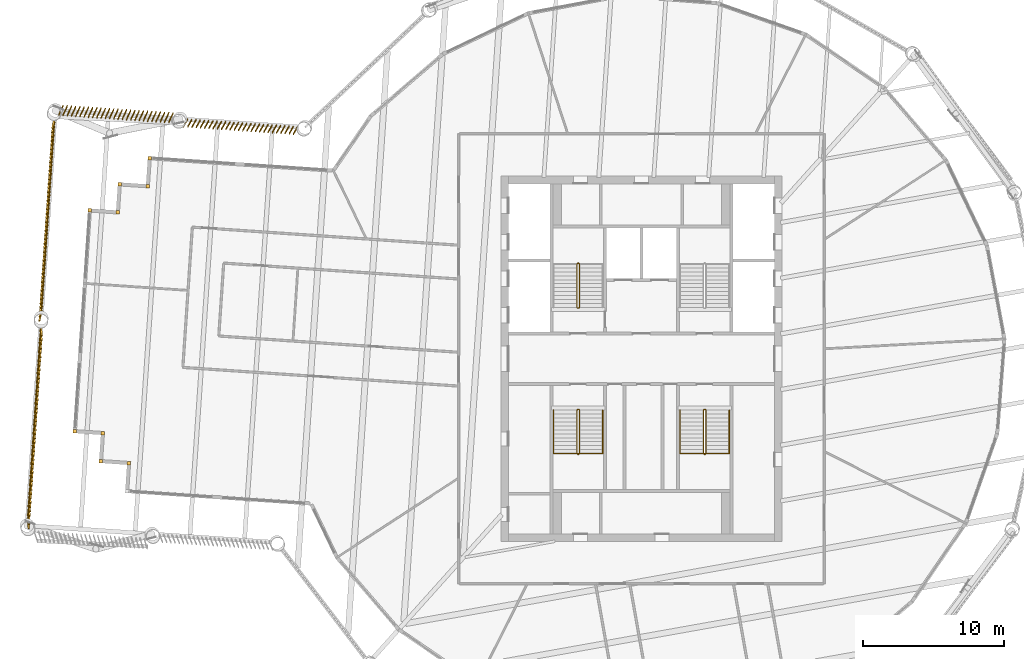
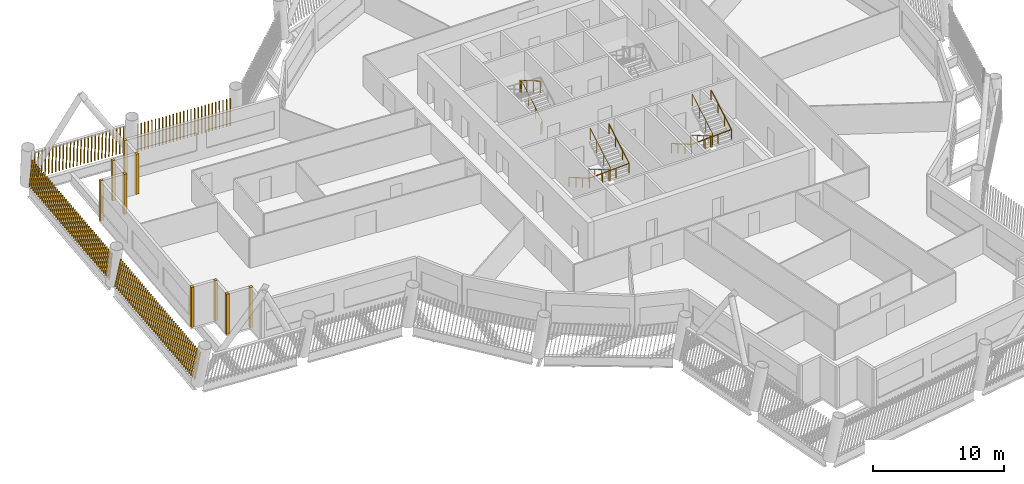
# One storey, part 19 of 22: 13 shading devices, 5 railings.
"""IFC4 building model written with IfcOpenShell, lengths in metres."""

from ifc_helpers import new_model, si_unit, direction, frame, frame_2d, origin, origin_2d, place, context, subcontext, project, spatial, rectangle, circle, composite_profile, extrude, material, type_object, element, save


model = new_model("IFC4")

# Units and contexts
model_context = context("Model", 3, precision=1e-05, world=origin(), true_north=direction((0.0, 1.0)))
body_context = subcontext(model_context, "Body", "Model", "MODEL_VIEW")
ifc_project = project(units=[si_unit("LENGTHUNIT", "METRE"), si_unit("AREAUNIT", "SQUARE_METRE"), si_unit("VOLUMEUNIT", "CUBIC_METRE"), si_unit("PLANEANGLEUNIT", "RADIAN"), si_unit("MASSUNIT", "GRAM", prefix="KILO")], contexts=[model_context])

# Site, building, storey
site_placement = place(None, origin())
site = spatial("IfcSite", under=ifc_project, at=site_placement, CompositionType="ELEMENT")
building_placement = place(site_placement, origin())
building = spatial("IfcBuilding", under=site, at=building_placement, Name="Tarsis Ring Headquarters", CompositionType="ELEMENT")
storey_placement = place(building_placement, frame((0.0, 0.0, 270.800048828125)))
storey = spatial("IfcBuildingStorey", under=building, at=storey_placement, Name="L63", CompositionType="ELEMENT", Elevation=270.800048828125)

# Railings
ifc_material_1 = material(Name="Steel S355", Category="steel")
railing_type_1 = type_object("IfcRailingType", Name="Core stair guard 1100", PredefinedType="GUARDRAIL", material=ifc_material_1)
railing_1_placement = place(storey_placement, frame((-4.5400390625, 3.610107421875, 0.0)))
element("IfcRailing", 1, at=railing_1_placement, inside=storey, type_object=railing_type_1, Name="L63 ST1 stair guard 1", PredefinedType="GUARDRAIL", context=body_context, shape_type="SweptSolid", body=[
    extrude(circle(Radius=0.02392578125, at=origin_2d()), frame((0.0, 0.0, 1.076171875), z_axis=(1.0, 0.0, 0.0), x_axis=(0.0, 1.0, 0.0)), (0.0, 0.0, 1.0), 0.080078125),
    extrude(circle(Radius=0.02392578125, at=origin_2d()), frame((0.080078125, 0.0, 1.076171875), z_axis=(0.282693820306, 0.281314826061, 0.917031173188), x_axis=(-0.705375805398, 0.708833529934, 0.0)), (0.0, 0.0, 1.0), 0.177001953125),
    extrude(circle(Radius=0.02392578125, at=origin_2d()), frame((0.130126953125, 0.0498046875, 1.23828125), z_axis=(0.0, 0.864890721111, 0.501960198159), x_axis=(-1.0, 0.0, 0.0)), (0.0, 0.0, 1.0), 3.561279296875),
    extrude(circle(Radius=0.02392578125, at=origin_2d()), frame((0.130126953125, 3.1298828125, 3.02587890625), z_axis=(-0.707106781187, 0.707106781187, 0.0), x_axis=(-0.707106781187, -0.707106781187, 0.0)), (0.0, 0.0, 1.0), 0.07080078125),
    extrude(circle(Radius=0.02392578125, at=origin_2d()), frame((0.080078125, 3.179931640625, 3.02587890625), z_axis=(-1.0, 0.0, 0.0), x_axis=(0.0, -1.0, 0.0)), (0.0, 0.0, 1.0), 0.080078125),
    extrude(circle(Radius=0.02392578125, at=origin_2d()), frame((0.0, 3.179931640625, 3.02587890625), z_axis=(-0.282227285176, -0.282227285176, 0.916894497205), x_axis=(0.707106781187, -0.707106781187, 0.0)), (0.0, 0.0, 1.0), 0.17724609375),
    extrude(circle(Radius=0.02392578125, at=origin_2d()), frame((-0.050048828125, 3.1298828125, 3.1884765625), z_axis=(0.0, -0.864920483161, 0.501908913857), x_axis=(1.0, 0.0, 0.0)), (0.0, 0.0, 1.0), 3.56103515625),
    extrude(circle(Radius=0.02099609375, at=origin_2d()), origin(), (0.0, 0.0, 1.0), 1.052001953125),
    extrude(circle(Radius=0.02099609375, at=origin_2d()), frame((0.080078125, 0.0, 0.0)), (0.0, 0.0, 1.0), 1.052001953125),
    extrude(circle(Radius=0.02099609375, at=origin_2d()), frame((0.130126953125, 0.0498046875, 0.162353515625)), (0.0, 0.0, 1.0), 1.052001953125),
    extrude(circle(Radius=0.02099609375, at=origin_2d()), frame((0.130126953125, 1.076416015625, 0.75830078125)), (0.0, 0.0, 1.0), 1.052001953125),
    extrude(circle(Radius=0.02099609375, at=origin_2d()), frame((0.130126953125, 2.103271484375, 1.35400390625)), (0.0, 0.0, 1.0), 1.052001953125),
    extrude(circle(Radius=0.02099609375, at=origin_2d()), frame((0.130126953125, 3.1298828125, 1.949951171875)), (0.0, 0.0, 1.0), 1.052001953125),
    extrude(circle(Radius=0.02099609375, at=origin_2d()), frame((0.080078125, 3.179931640625, 1.949951171875)), (0.0, 0.0, 1.0), 1.052001953125),
    extrude(circle(Radius=0.02099609375, at=origin_2d()), frame((0.0, 3.179931640625, 1.949951171875)), (0.0, 0.0, 1.0), 1.052001953125),
    extrude(circle(Radius=0.02099609375, at=origin_2d()), frame((-0.050048828125, 3.1298828125, 2.112548828125)), (0.0, 0.0, 1.0), 1.052001953125),
    extrude(circle(Radius=0.02099609375, at=origin_2d()), frame((-0.050048828125, 2.103271484375, 2.708251953125)), (0.0, 0.0, 1.0), 1.052001953125),
    extrude(circle(Radius=0.02099609375, at=origin_2d()), frame((-0.050048828125, 1.076416015625, 3.30419921875)), (0.0, 0.0, 1.0), 1.052001953125),
    extrude(circle(Radius=0.02099609375, at=origin_2d()), frame((-0.050048828125, 0.0498046875, 3.89990234375)), (0.0, 0.0, 1.0), 1.052001953125),
])
railing_2_placement = place(storey_placement, frame((-4.4599609375, -3.610107421875, 0.0)))
element("IfcRailing", 2, at=railing_2_placement, inside=storey, type_object=railing_type_1, Name="L63 ST3 stair guard 1", PredefinedType="GUARDRAIL", context=body_context, shape_type="SweptSolid", body=[
    extrude(circle(Radius=0.02392578125, at=origin_2d()), frame((0.0, 0.0, 1.076171875), z_axis=(-1.0, 0.0, 0.0), x_axis=(0.0, -1.0, 0.0)), (0.0, 0.0, 1.0), 0.080078125),
    extrude(circle(Radius=0.02392578125, at=origin_2d()), frame((-0.080078125, 0.0, 1.076171875), z_axis=(-0.282693820306, -0.281314826061, 0.917031173188), x_axis=(0.705375805398, -0.708833529934, 0.0)), (0.0, 0.0, 1.0), 0.177001953125),
    extrude(circle(Radius=0.02392578125, at=origin_2d()), frame((-0.130126953125, -0.0498046875, 1.23828125), z_axis=(0.0, -0.864890721111, 0.501960198159), x_axis=(1.0, 0.0, 0.0)), (0.0, 0.0, 1.0), 3.561279296875),
    extrude(circle(Radius=0.02392578125, at=origin_2d()), frame((-0.130126953125, -3.1298828125, 3.02587890625), z_axis=(0.707106781187, -0.707106781187, 0.0), x_axis=(0.707106781187, 0.707106781187, 0.0)), (0.0, 0.0, 1.0), 0.07080078125),
    extrude(circle(Radius=0.02392578125, at=origin_2d()), frame((-0.080078125, -3.179931640625, 3.02587890625), z_axis=(1.0, 0.0, 0.0), x_axis=(0.0, 1.0, 0.0)), (0.0, 0.0, 1.0), 0.080078125),
    extrude(circle(Radius=0.02392578125, at=origin_2d()), frame((0.0, -3.179931640625, 3.02587890625), z_axis=(0.282227285176, 0.282227285176, 0.916894497205), x_axis=(-0.707106781187, 0.707106781187, 0.0)), (0.0, 0.0, 1.0), 0.17724609375),
    extrude(circle(Radius=0.02392578125, at=origin_2d()), frame((0.050048828125, -3.1298828125, 3.1884765625), z_axis=(0.0, 0.864920483161, 0.501908913857), x_axis=(-1.0, 0.0, 0.0)), (0.0, 0.0, 1.0), 3.56103515625),
    extrude(circle(Radius=0.02099609375, at=origin_2d()), origin(), (0.0, 0.0, 1.0), 1.052001953125),
    extrude(circle(Radius=0.02099609375, at=origin_2d()), frame((-0.080078125, 0.0, 0.0)), (0.0, 0.0, 1.0), 1.052001953125),
    extrude(circle(Radius=0.02099609375, at=origin_2d()), frame((-0.130126953125, -0.0498046875, 0.162353515625)), (0.0, 0.0, 1.0), 1.052001953125),
    extrude(circle(Radius=0.02099609375, at=origin_2d()), frame((-0.130126953125, -1.076416015625, 0.75830078125)), (0.0, 0.0, 1.0), 1.052001953125),
    extrude(circle(Radius=0.02099609375, at=origin_2d()), frame((-0.130126953125, -2.103271484375, 1.35400390625)), (0.0, 0.0, 1.0), 1.052001953125),
    extrude(circle(Radius=0.02099609375, at=origin_2d()), frame((-0.130126953125, -3.1298828125, 1.949951171875)), (0.0, 0.0, 1.0), 1.052001953125),
    extrude(circle(Radius=0.02099609375, at=origin_2d()), frame((-0.080078125, -3.179931640625, 1.949951171875)), (0.0, 0.0, 1.0), 1.052001953125),
    extrude(circle(Radius=0.02099609375, at=origin_2d()), frame((0.0, -3.179931640625, 1.949951171875)), (0.0, 0.0, 1.0), 1.052001953125),
    extrude(circle(Radius=0.02099609375, at=origin_2d()), frame((0.050048828125, -3.1298828125, 2.112548828125)), (0.0, 0.0, 1.0), 1.052001953125),
    extrude(circle(Radius=0.02099609375, at=origin_2d()), frame((0.050048828125, -2.103271484375, 2.708251953125)), (0.0, 0.0, 1.0), 1.052001953125),
    extrude(circle(Radius=0.02099609375, at=origin_2d()), frame((0.050048828125, -1.076416015625, 3.30419921875)), (0.0, 0.0, 1.0), 1.052001953125),
    extrude(circle(Radius=0.02099609375, at=origin_2d()), frame((0.050048828125, -0.0498046875, 3.89990234375)), (0.0, 0.0, 1.0), 1.052001953125),
])
railing_3_placement = place(storey_placement, frame((4.5400390625, -3.610107421875, 0.0)))
element("IfcRailing", 3, at=railing_3_placement, inside=storey, type_object=railing_type_1, Name="L63 ST4 stair guard 1", PredefinedType="GUARDRAIL", context=body_context, shape_type="SweptSolid", body=[
    extrude(circle(Radius=0.02392578125, at=origin_2d()), frame((0.0, 0.0, 1.076171875), z_axis=(-1.0, 0.0, 0.0), x_axis=(0.0, -1.0, 0.0)), (0.0, 0.0, 1.0), 0.080078125),
    extrude(circle(Radius=0.02392578125, at=origin_2d()), frame((-0.080078125, 0.0, 1.076171875), z_axis=(-0.282693820306, -0.281314826061, 0.917031173188), x_axis=(0.705375805398, -0.708833529934, 0.0)), (0.0, 0.0, 1.0), 0.177001953125),
    extrude(circle(Radius=0.02392578125, at=origin_2d()), frame((-0.130126953125, -0.0498046875, 1.23828125), z_axis=(0.0, -0.864890721111, 0.501960198159), x_axis=(1.0, 0.0, 0.0)), (0.0, 0.0, 1.0), 3.561279296875),
    extrude(circle(Radius=0.02392578125, at=origin_2d()), frame((-0.130126953125, -3.1298828125, 3.02587890625), z_axis=(0.707106781187, -0.707106781187, 0.0), x_axis=(0.707106781187, 0.707106781187, 0.0)), (0.0, 0.0, 1.0), 0.07080078125),
    extrude(circle(Radius=0.02392578125, at=origin_2d()), frame((-0.080078125, -3.179931640625, 3.02587890625), z_axis=(1.0, 0.0, 0.0), x_axis=(0.0, 1.0, 0.0)), (0.0, 0.0, 1.0), 0.080078125),
    extrude(circle(Radius=0.02392578125, at=origin_2d()), frame((0.0, -3.179931640625, 3.02587890625), z_axis=(0.282227285176, 0.282227285176, 0.916894497205), x_axis=(-0.707106781187, 0.707106781187, 0.0)), (0.0, 0.0, 1.0), 0.17724609375),
    extrude(circle(Radius=0.02392578125, at=origin_2d()), frame((0.050048828125, -3.1298828125, 3.1884765625), z_axis=(0.0, 0.864920483161, 0.501908913857), x_axis=(-1.0, 0.0, 0.0)), (0.0, 0.0, 1.0), 3.56103515625),
    extrude(circle(Radius=0.02099609375, at=origin_2d()), origin(), (0.0, 0.0, 1.0), 1.052001953125),
    extrude(circle(Radius=0.02099609375, at=origin_2d()), frame((-0.080078125, 0.0, 0.0)), (0.0, 0.0, 1.0), 1.052001953125),
    extrude(circle(Radius=0.02099609375, at=origin_2d()), frame((-0.130126953125, -0.0498046875, 0.162353515625)), (0.0, 0.0, 1.0), 1.052001953125),
    extrude(circle(Radius=0.02099609375, at=origin_2d()), frame((-0.130126953125, -1.076416015625, 0.75830078125)), (0.0, 0.0, 1.0), 1.052001953125),
    extrude(circle(Radius=0.02099609375, at=origin_2d()), frame((-0.130126953125, -2.103271484375, 1.35400390625)), (0.0, 0.0, 1.0), 1.052001953125),
    extrude(circle(Radius=0.02099609375, at=origin_2d()), frame((-0.130126953125, -3.1298828125, 1.949951171875)), (0.0, 0.0, 1.0), 1.052001953125),
    extrude(circle(Radius=0.02099609375, at=origin_2d()), frame((-0.080078125, -3.179931640625, 1.949951171875)), (0.0, 0.0, 1.0), 1.052001953125),
    extrude(circle(Radius=0.02099609375, at=origin_2d()), frame((0.0, -3.179931640625, 1.949951171875)), (0.0, 0.0, 1.0), 1.052001953125),
    extrude(circle(Radius=0.02099609375, at=origin_2d()), frame((0.050048828125, -3.1298828125, 2.112548828125)), (0.0, 0.0, 1.0), 1.052001953125),
    extrude(circle(Radius=0.02099609375, at=origin_2d()), frame((0.050048828125, -2.103271484375, 2.708251953125)), (0.0, 0.0, 1.0), 1.052001953125),
    extrude(circle(Radius=0.02099609375, at=origin_2d()), frame((0.050048828125, -1.076416015625, 3.30419921875)), (0.0, 0.0, 1.0), 1.052001953125),
    extrude(circle(Radius=0.02099609375, at=origin_2d()), frame((0.050048828125, -0.0498046875, 3.89990234375)), (0.0, 0.0, 1.0), 1.052001953125),
])
railing_type_2 = type_object("IfcRailingType", Name="Core stair handrail 900", PredefinedType="HANDRAIL", material=ifc_material_1)
railing_4_placement = place(storey_placement, frame((-6.25, -3.659912109375, 0.162353515625)))
element("IfcRailing", 4, at=railing_4_placement, inside=storey, type_object=railing_type_2, Name="L63 ST3 stair handrail 1", PredefinedType="HANDRAIL", context=body_context, shape_type="SweptSolid", body=[
    extrude(circle(Radius=0.02392578125, at=origin_2d()), frame((0.0, 0.0, 0.8759765625), z_axis=(0.0, -0.864890721111, 0.501960198159), x_axis=(1.0, 0.0, 0.0)), (0.0, 0.0, 1.0), 3.561279296875),
    extrude(circle(Radius=0.02392578125, at=origin_2d()), frame((0.0, -3.080078125, 2.66357421875), z_axis=(0.998922641604, 0.0, 0.046406422943), x_axis=(0.0, 1.0, 0.0)), (0.0, 0.0, 1.0), 3.503662109375),
    extrude(circle(Radius=0.02392578125, at=origin_2d()), frame((3.5, -3.080078125, 2.826171875), z_axis=(0.0, 0.864920483161, 0.501908913857), x_axis=(-1.0, 0.0, 0.0)), (0.0, 0.0, 1.0), 3.56103515625),
    extrude(circle(Radius=0.02099609375, at=origin_2d()), origin(), (0.0, 0.0, 1.0), 0.851806640625),
    extrude(circle(Radius=0.02099609375, at=origin_2d()), frame((0.0, -1.026611328125, 0.595947265625)), (0.0, 0.0, 1.0), 0.851806640625),
    extrude(circle(Radius=0.02099609375, at=origin_2d()), frame((0.0, -2.053466796875, 1.191650390625)), (0.0, 0.0, 1.0), 0.851806640625),
    extrude(circle(Radius=0.02099609375, at=origin_2d()), frame((0.0, -3.080078125, 1.78759765625)), (0.0, 0.0, 1.0), 0.851806640625),
    extrude(circle(Radius=0.02099609375, at=origin_2d()), frame((1.166748046875, -3.080078125, 1.841796875)), (0.0, 0.0, 1.0), 0.851806640625),
    extrude(circle(Radius=0.02099609375, at=origin_2d()), frame((2.333251953125, -3.080078125, 1.89599609375)), (0.0, 0.0, 1.0), 0.851806640625),
    extrude(circle(Radius=0.02099609375, at=origin_2d()), frame((3.5, -3.080078125, 1.9501953125)), (0.0, 0.0, 1.0), 0.851806640625),
    extrude(circle(Radius=0.02099609375, at=origin_2d()), frame((3.5, -2.053466796875, 2.5458984375)), (0.0, 0.0, 1.0), 0.851806640625),
    extrude(circle(Radius=0.02099609375, at=origin_2d()), frame((3.5, -1.026611328125, 3.141845703125)), (0.0, 0.0, 1.0), 0.851806640625),
    extrude(circle(Radius=0.02099609375, at=origin_2d()), frame((3.5, 0.0, 3.737548828125)), (0.0, 0.0, 1.0), 0.851806640625),
])
railing_5_placement = place(storey_placement, frame((2.75, -3.659912109375, 0.162353515625)))
element("IfcRailing", 5, at=railing_5_placement, inside=storey, type_object=railing_type_2, Name="L63 ST4 stair handrail 1", PredefinedType="HANDRAIL", context=body_context, shape_type="SweptSolid", body=[
    extrude(circle(Radius=0.02392578125, at=origin_2d()), frame((0.0, 0.0, 0.8759765625), z_axis=(0.0, -0.864890721111, 0.501960198159), x_axis=(1.0, 0.0, 0.0)), (0.0, 0.0, 1.0), 3.561279296875),
    extrude(circle(Radius=0.02392578125, at=origin_2d()), frame((0.0, -3.080078125, 2.66357421875), z_axis=(0.998922641604, 0.0, 0.046406422943), x_axis=(0.0, 1.0, 0.0)), (0.0, 0.0, 1.0), 3.503662109375),
    extrude(circle(Radius=0.02392578125, at=origin_2d()), frame((3.5, -3.080078125, 2.826171875), z_axis=(0.0, 0.864920483161, 0.501908913857), x_axis=(-1.0, 0.0, 0.0)), (0.0, 0.0, 1.0), 3.56103515625),
    extrude(circle(Radius=0.02099609375, at=origin_2d()), origin(), (0.0, 0.0, 1.0), 0.851806640625),
    extrude(circle(Radius=0.02099609375, at=origin_2d()), frame((0.0, -1.026611328125, 0.595947265625)), (0.0, 0.0, 1.0), 0.851806640625),
    extrude(circle(Radius=0.02099609375, at=origin_2d()), frame((0.0, -2.053466796875, 1.191650390625)), (0.0, 0.0, 1.0), 0.851806640625),
    extrude(circle(Radius=0.02099609375, at=origin_2d()), frame((0.0, -3.080078125, 1.78759765625)), (0.0, 0.0, 1.0), 0.851806640625),
    extrude(circle(Radius=0.02099609375, at=origin_2d()), frame((1.166748046875, -3.080078125, 1.841796875)), (0.0, 0.0, 1.0), 0.851806640625),
    extrude(circle(Radius=0.02099609375, at=origin_2d()), frame((2.333251953125, -3.080078125, 1.89599609375)), (0.0, 0.0, 1.0), 0.851806640625),
    extrude(circle(Radius=0.02099609375, at=origin_2d()), frame((3.5, -3.080078125, 1.9501953125)), (0.0, 0.0, 1.0), 0.851806640625),
    extrude(circle(Radius=0.02099609375, at=origin_2d()), frame((3.5, -2.053466796875, 2.5458984375)), (0.0, 0.0, 1.0), 0.851806640625),
    extrude(circle(Radius=0.02099609375, at=origin_2d()), frame((3.5, -1.026611328125, 3.141845703125)), (0.0, 0.0, 1.0), 0.851806640625),
    extrude(circle(Radius=0.02099609375, at=origin_2d()), frame((3.5, 0.0, 3.737548828125)), (0.0, 0.0, 1.0), 0.851806640625),
])

# Shading devices
ifc_material_2 = material(Name="Terracotta baguette", Category="masonry")
shading_device_type_1 = type_object("IfcShadingDeviceType", Name="Terracotta baguette screen", PredefinedType="USERDEFINED", material=ifc_material_2)
shading_device_1_placement = place(storey_placement, frame((-24.435546875, 16.4912109375, 0.0), z_axis=(0.0, 0.0, 1.0), x_axis=(-0.997713791399, 0.067690311419, 0.0)))
element("IfcShadingDevice", 6, at=shading_device_1_placement, inside=storey, type_object=shading_device_type_1, Name="Baguette screen L63-15", ObjectType="Terracotta baguette screen", PredefinedType="USERDEFINED", context=body_context, shape_type="SweptSolid", body=[
    extrude(composite_profile([rectangle(XDim=0.06005859375, YDim=0.1201171875, at=frame_2d((0.030029296875, 0.0))), rectangle(XDim=0.06005859375, YDim=0.1201171875, at=frame_2d((0.33154296875, 0.0))), rectangle(XDim=0.06005859375, YDim=0.1201171875, at=frame_2d((0.63330078125, 0.0))), rectangle(XDim=0.06005859375, YDim=0.1201171875, at=frame_2d((0.934814453125, 0.0))), rectangle(XDim=0.06005859375, YDim=0.1201171875, at=frame_2d((1.236572265625, 0.0))), rectangle(XDim=0.06005859375, YDim=0.1201171875, at=frame_2d((1.5380859375, 0.0))), rectangle(XDim=0.06005859375, YDim=0.1201171875, at=frame_2d((1.83984375, 0.0))), rectangle(XDim=0.06005859375, YDim=0.1201171875, at=frame_2d((2.141357421875, 0.0))), rectangle(XDim=0.06005859375, YDim=0.1201171875, at=frame_2d((2.443115234375, 0.0))), rectangle(XDim=0.06005859375, YDim=0.1201171875, at=frame_2d((2.74462890625, 0.0))), rectangle(XDim=0.06005859375, YDim=0.1201171875, at=frame_2d((3.04638671875, 0.0))), rectangle(XDim=0.06005859375, YDim=0.1201171875, at=frame_2d((3.347900390625, 0.0))), rectangle(XDim=0.06005859375, YDim=0.1201171875, at=frame_2d((3.649658203125, 0.0))), rectangle(XDim=0.06005859375, YDim=0.1201171875, at=frame_2d((3.951171875, 0.0))), rectangle(XDim=0.06005859375, YDim=0.1201171875, at=frame_2d((4.252685546875, 0.0))), rectangle(XDim=0.06005859375, YDim=0.1201171875, at=frame_2d((4.554443359375, 0.0))), rectangle(XDim=0.06005859375, YDim=0.1201171875, at=frame_2d((4.85595703125, 0.0))), rectangle(XDim=0.06005859375, YDim=0.1201171875, at=frame_2d((5.15771484375, 0.0))), rectangle(XDim=0.06005859375, YDim=0.1201171875, at=frame_2d((5.459228515625, 0.0))), rectangle(XDim=0.06005859375, YDim=0.1201171875, at=frame_2d((5.760986328125, 0.0))), rectangle(XDim=0.06005859375, YDim=0.1201171875, at=frame_2d((6.0625, 0.0))), rectangle(XDim=0.06005859375, YDim=0.1201171875, at=frame_2d((6.3642578125, 0.0))), rectangle(XDim=0.06005859375, YDim=0.1201171875, at=frame_2d((6.665771484375, 0.0))), rectangle(XDim=0.06005859375, YDim=0.1201171875, at=frame_2d((6.967529296875, 0.0))), rectangle(XDim=0.06005859375, YDim=0.1201171875, at=frame_2d((7.26904296875, 0.0))), rectangle(XDim=0.06005859375, YDim=0.1201171875, at=frame_2d((7.57080078125, 0.0))), rectangle(XDim=0.06005859375, YDim=0.1201171875, at=frame_2d((7.872314453125, 0.0)))]), origin(), (0.08395669071, 0.170750630732, 0.981730867493), 3.02294921875),
])
shading_device_2_placement = place(storey_placement, frame((-33.2919921875, 17.4677734375, 0.0), z_axis=(0.0, 0.0, 1.0), x_axis=(-0.997713791399, 0.067659416708, 0.0)))
element("IfcShadingDevice", 7, at=shading_device_2_placement, inside=storey, type_object=shading_device_type_1, Name="Baguette screen L63-16", ObjectType="Terracotta baguette screen", PredefinedType="USERDEFINED", context=body_context, shape_type="SweptSolid", body=[
    extrude(composite_profile([rectangle(XDim=0.06005859375, YDim=0.1201171875, at=frame_2d((0.030029296875, 0.0))), rectangle(XDim=0.06005859375, YDim=0.1201171875, at=frame_2d((0.33154296875, 0.0))), rectangle(XDim=0.06005859375, YDim=0.1201171875, at=frame_2d((0.63330078125, 0.0))), rectangle(XDim=0.06005859375, YDim=0.1201171875, at=frame_2d((0.934814453125, 0.0))), rectangle(XDim=0.06005859375, YDim=0.1201171875, at=frame_2d((1.236572265625, 0.0))), rectangle(XDim=0.06005859375, YDim=0.1201171875, at=frame_2d((1.5380859375, 0.0))), rectangle(XDim=0.06005859375, YDim=0.1201171875, at=frame_2d((1.83984375, 0.0))), rectangle(XDim=0.06005859375, YDim=0.1201171875, at=frame_2d((2.141357421875, 0.0))), rectangle(XDim=0.06005859375, YDim=0.1201171875, at=frame_2d((2.443115234375, 0.0))), rectangle(XDim=0.06005859375, YDim=0.1201171875, at=frame_2d((2.74462890625, 0.0))), rectangle(XDim=0.06005859375, YDim=0.1201171875, at=frame_2d((3.04638671875, 0.0))), rectangle(XDim=0.06005859375, YDim=0.1201171875, at=frame_2d((3.347900390625, 0.0))), rectangle(XDim=0.06005859375, YDim=0.1201171875, at=frame_2d((3.649658203125, 0.0))), rectangle(XDim=0.06005859375, YDim=0.1201171875, at=frame_2d((3.951171875, 0.0))), rectangle(XDim=0.06005859375, YDim=0.1201171875, at=frame_2d((4.252685546875, 0.0))), rectangle(XDim=0.06005859375, YDim=0.1201171875, at=frame_2d((4.554443359375, 0.0))), rectangle(XDim=0.06005859375, YDim=0.1201171875, at=frame_2d((4.85595703125, 0.0))), rectangle(XDim=0.06005859375, YDim=0.1201171875, at=frame_2d((5.15771484375, 0.0))), rectangle(XDim=0.06005859375, YDim=0.1201171875, at=frame_2d((5.459228515625, 0.0))), rectangle(XDim=0.06005859375, YDim=0.1201171875, at=frame_2d((5.760986328125, 0.0))), rectangle(XDim=0.06005859375, YDim=0.1201171875, at=frame_2d((6.0625, 0.0))), rectangle(XDim=0.06005859375, YDim=0.1201171875, at=frame_2d((6.3642578125, 0.0))), rectangle(XDim=0.06005859375, YDim=0.1201171875, at=frame_2d((6.665771484375, 0.0))), rectangle(XDim=0.06005859375, YDim=0.1201171875, at=frame_2d((6.967529296875, 0.0))), rectangle(XDim=0.06005859375, YDim=0.1201171875, at=frame_2d((7.26904296875, 0.0))), rectangle(XDim=0.06005859375, YDim=0.1201171875, at=frame_2d((7.57080078125, 0.0))), rectangle(XDim=0.06005859375, YDim=0.1201171875, at=frame_2d((7.872314453125, 0.0)))]), origin(), (0.0848140838, 0.219919349821, 0.971824084268), 3.0537109375),
])
shading_device_3_placement = place(storey_placement, frame((-41.734375, 17.163330078125, 0.0), z_axis=(0.0, 0.0, 1.0), x_axis=(-0.067652678508, -0.997717783596, 0.0)))
element("IfcShadingDevice", 8, at=shading_device_3_placement, inside=storey, type_object=shading_device_type_1, Name="Baguette screen L63-17", ObjectType="Terracotta baguette screen", PredefinedType="USERDEFINED", context=body_context, shape_type="SweptSolid", body=[
    extrude(composite_profile([rectangle(XDim=0.06005859375, YDim=0.1201171875, at=frame_2d((0.030029296875, 0.0))), rectangle(XDim=0.06005859375, YDim=0.1201171875, at=frame_2d((0.33544921875, 0.0))), rectangle(XDim=0.06005859375, YDim=0.1201171875, at=frame_2d((0.640625, 0.0))), rectangle(XDim=0.06005859375, YDim=0.1201171875, at=frame_2d((0.946044921875, 0.0))), rectangle(XDim=0.06005859375, YDim=0.1201171875, at=frame_2d((1.25146484375, 0.0))), rectangle(XDim=0.06005859375, YDim=0.1201171875, at=frame_2d((1.556640625, 0.0))), rectangle(XDim=0.06005859375, YDim=0.1201171875, at=frame_2d((1.862060546875, 0.0))), rectangle(XDim=0.06005859375, YDim=0.1201171875, at=frame_2d((2.16748046875, 0.0))), rectangle(XDim=0.06005859375, YDim=0.1201171875, at=frame_2d((2.47265625, 0.0))), rectangle(XDim=0.06005859375, YDim=0.1201171875, at=frame_2d((2.778076171875, 0.0))), rectangle(XDim=0.06005859375, YDim=0.1201171875, at=frame_2d((3.08349609375, 0.0))), rectangle(XDim=0.06005859375, YDim=0.1201171875, at=frame_2d((3.388671875, 0.0))), rectangle(XDim=0.06005859375, YDim=0.1201171875, at=frame_2d((3.694091796875, 0.0))), rectangle(XDim=0.06005859375, YDim=0.1201171875, at=frame_2d((3.99951171875, 0.0))), rectangle(XDim=0.06005859375, YDim=0.1201171875, at=frame_2d((4.3046875, 0.0))), rectangle(XDim=0.06005859375, YDim=0.1201171875, at=frame_2d((4.610107421875, 0.0))), rectangle(XDim=0.06005859375, YDim=0.1201171875, at=frame_2d((4.91552734375, 0.0))), rectangle(XDim=0.06005859375, YDim=0.1201171875, at=frame_2d((5.220703125, 0.0))), rectangle(XDim=0.06005859375, YDim=0.1201171875, at=frame_2d((5.526123046875, 0.0))), rectangle(XDim=0.06005859375, YDim=0.1201171875, at=frame_2d((5.83154296875, 0.0))), rectangle(XDim=0.06005859375, YDim=0.1201171875, at=frame_2d((6.13671875, 0.0))), rectangle(XDim=0.06005859375, YDim=0.1201171875, at=frame_2d((6.442138671875, 0.0))), rectangle(XDim=0.06005859375, YDim=0.1201171875, at=frame_2d((6.74755859375, 0.0))), rectangle(XDim=0.06005859375, YDim=0.1201171875, at=frame_2d((7.052734375, 0.0))), rectangle(XDim=0.06005859375, YDim=0.1201171875, at=frame_2d((7.358154296875, 0.0))), rectangle(XDim=0.06005859375, YDim=0.1201171875, at=frame_2d((7.66357421875, 0.0))), rectangle(XDim=0.06005859375, YDim=0.1201171875, at=frame_2d((7.96875, 0.0))), rectangle(XDim=0.06005859375, YDim=0.1201171875, at=frame_2d((8.274169921875, 0.0))), rectangle(XDim=0.06005859375, YDim=0.1201171875, at=frame_2d((8.57958984375, 0.0))), rectangle(XDim=0.06005859375, YDim=0.1201171875, at=frame_2d((8.884765625, 0.0))), rectangle(XDim=0.06005859375, YDim=0.1201171875, at=frame_2d((9.190185546875, 0.0))), rectangle(XDim=0.06005859375, YDim=0.1201171875, at=frame_2d((9.49560546875, 0.0))), rectangle(XDim=0.06005859375, YDim=0.1201171875, at=frame_2d((9.80078125, 0.0))), rectangle(XDim=0.06005859375, YDim=0.1201171875, at=frame_2d((10.106201171875, 0.0))), rectangle(XDim=0.06005859375, YDim=0.1201171875, at=frame_2d((10.41162109375, 0.0))), rectangle(XDim=0.06005859375, YDim=0.1201171875, at=frame_2d((10.716796875, 0.0))), rectangle(XDim=0.06005859375, YDim=0.1201171875, at=frame_2d((11.022216796875, 0.0))), rectangle(XDim=0.06005859375, YDim=0.1201171875, at=frame_2d((11.32763671875, 0.0))), rectangle(XDim=0.06005859375, YDim=0.1201171875, at=frame_2d((11.6328125, 0.0))), rectangle(XDim=0.06005859375, YDim=0.1201171875, at=frame_2d((11.938232421875, 0.0))), rectangle(XDim=0.06005859375, YDim=0.1201171875, at=frame_2d((12.24365234375, 0.0))), rectangle(XDim=0.06005859375, YDim=0.1201171875, at=frame_2d((12.548828125, 0.0))), rectangle(XDim=0.06005859375, YDim=0.1201171875, at=frame_2d((12.854248046875, 0.0))), rectangle(XDim=0.06005859375, YDim=0.1201171875, at=frame_2d((13.15966796875, 0.0))), rectangle(XDim=0.06005859375, YDim=0.1201171875, at=frame_2d((13.46484375, 0.0))), rectangle(XDim=0.06005859375, YDim=0.1201171875, at=frame_2d((13.770263671875, 0.0)))]), origin(), (0.244230678059, -0.040038776183, 0.968890227165), 3.06298828125),
])
shading_device_4_placement = place(storey_placement, frame((-42.73583984375, 2.397216796875, 0.0), z_axis=(0.0, 0.0, 1.0), x_axis=(-0.067652678508, -0.997717783596, 0.0)))
element("IfcShadingDevice", 9, at=shading_device_4_placement, inside=storey, type_object=shading_device_type_1, Name="Baguette screen L63-18", ObjectType="Terracotta baguette screen", PredefinedType="USERDEFINED", context=body_context, shape_type="SweptSolid", body=[
    extrude(composite_profile([rectangle(XDim=0.06005859375, YDim=0.1201171875, at=frame_2d((0.030029296875, 0.0))), rectangle(XDim=0.06005859375, YDim=0.1201171875, at=frame_2d((0.33544921875, 0.0))), rectangle(XDim=0.06005859375, YDim=0.1201171875, at=frame_2d((0.640625, 0.0))), rectangle(XDim=0.06005859375, YDim=0.1201171875, at=frame_2d((0.946044921875, 0.0))), rectangle(XDim=0.06005859375, YDim=0.1201171875, at=frame_2d((1.25146484375, 0.0))), rectangle(XDim=0.06005859375, YDim=0.1201171875, at=frame_2d((1.556640625, 0.0))), rectangle(XDim=0.06005859375, YDim=0.1201171875, at=frame_2d((1.862060546875, 0.0))), rectangle(XDim=0.06005859375, YDim=0.1201171875, at=frame_2d((2.16748046875, 0.0))), rectangle(XDim=0.06005859375, YDim=0.1201171875, at=frame_2d((2.47265625, 0.0))), rectangle(XDim=0.06005859375, YDim=0.1201171875, at=frame_2d((2.778076171875, 0.0))), rectangle(XDim=0.06005859375, YDim=0.1201171875, at=frame_2d((3.08349609375, 0.0))), rectangle(XDim=0.06005859375, YDim=0.1201171875, at=frame_2d((3.388671875, 0.0))), rectangle(XDim=0.06005859375, YDim=0.1201171875, at=frame_2d((3.694091796875, 0.0))), rectangle(XDim=0.06005859375, YDim=0.1201171875, at=frame_2d((3.99951171875, 0.0))), rectangle(XDim=0.06005859375, YDim=0.1201171875, at=frame_2d((4.3046875, 0.0))), rectangle(XDim=0.06005859375, YDim=0.1201171875, at=frame_2d((4.610107421875, 0.0))), rectangle(XDim=0.06005859375, YDim=0.1201171875, at=frame_2d((4.91552734375, 0.0))), rectangle(XDim=0.06005859375, YDim=0.1201171875, at=frame_2d((5.220703125, 0.0))), rectangle(XDim=0.06005859375, YDim=0.1201171875, at=frame_2d((5.526123046875, 0.0))), rectangle(XDim=0.06005859375, YDim=0.1201171875, at=frame_2d((5.83154296875, 0.0))), rectangle(XDim=0.06005859375, YDim=0.1201171875, at=frame_2d((6.13671875, 0.0))), rectangle(XDim=0.06005859375, YDim=0.1201171875, at=frame_2d((6.442138671875, 0.0))), rectangle(XDim=0.06005859375, YDim=0.1201171875, at=frame_2d((6.74755859375, 0.0))), rectangle(XDim=0.06005859375, YDim=0.1201171875, at=frame_2d((7.052734375, 0.0))), rectangle(XDim=0.06005859375, YDim=0.1201171875, at=frame_2d((7.358154296875, 0.0))), rectangle(XDim=0.06005859375, YDim=0.1201171875, at=frame_2d((7.66357421875, 0.0))), rectangle(XDim=0.06005859375, YDim=0.1201171875, at=frame_2d((7.96875, 0.0))), rectangle(XDim=0.06005859375, YDim=0.1201171875, at=frame_2d((8.274169921875, 0.0))), rectangle(XDim=0.06005859375, YDim=0.1201171875, at=frame_2d((8.57958984375, 0.0))), rectangle(XDim=0.06005859375, YDim=0.1201171875, at=frame_2d((8.884765625, 0.0))), rectangle(XDim=0.06005859375, YDim=0.1201171875, at=frame_2d((9.190185546875, 0.0))), rectangle(XDim=0.06005859375, YDim=0.1201171875, at=frame_2d((9.49560546875, 0.0))), rectangle(XDim=0.06005859375, YDim=0.1201171875, at=frame_2d((9.80078125, 0.0))), rectangle(XDim=0.06005859375, YDim=0.1201171875, at=frame_2d((10.106201171875, 0.0))), rectangle(XDim=0.06005859375, YDim=0.1201171875, at=frame_2d((10.41162109375, 0.0))), rectangle(XDim=0.06005859375, YDim=0.1201171875, at=frame_2d((10.716796875, 0.0))), rectangle(XDim=0.06005859375, YDim=0.1201171875, at=frame_2d((11.022216796875, 0.0))), rectangle(XDim=0.06005859375, YDim=0.1201171875, at=frame_2d((11.32763671875, 0.0))), rectangle(XDim=0.06005859375, YDim=0.1201171875, at=frame_2d((11.6328125, 0.0))), rectangle(XDim=0.06005859375, YDim=0.1201171875, at=frame_2d((11.938232421875, 0.0))), rectangle(XDim=0.06005859375, YDim=0.1201171875, at=frame_2d((12.24365234375, 0.0))), rectangle(XDim=0.06005859375, YDim=0.1201171875, at=frame_2d((12.548828125, 0.0))), rectangle(XDim=0.06005859375, YDim=0.1201171875, at=frame_2d((12.854248046875, 0.0))), rectangle(XDim=0.06005859375, YDim=0.1201171875, at=frame_2d((13.15966796875, 0.0))), rectangle(XDim=0.06005859375, YDim=0.1201171875, at=frame_2d((13.46484375, 0.0))), rectangle(XDim=0.06005859375, YDim=0.1201171875, at=frame_2d((13.770263671875, 0.0)))]), origin(), (0.243495990024, 0.044287814192, 0.968890237517), 3.06298828125),
])
shading_device_type_2 = type_object("IfcShadingDeviceType", Name="Terracotta corner baguette 250x250", PredefinedType="USERDEFINED", material=ifc_material_2)
for number, where, z_axis, x_axis, name in (
    (10, (-34.9892578125, 14.275390625, 0.0), (0.0, 0.0, 1.0), (-0.997707956325, 0.067667081257, 0.0), "Corner baguette L63-32"),
    (11, (-35.12451171875, 12.280029296875, 0.0), (0.0, 0.0, 1.0), (-0.06766746435, -0.997707930343, 0.0), "Corner baguette L63-33"),
    (12, (-37.119873046875, 12.415283203125, 0.0), (0.0, 0.0, 1.0), (-0.997707959868, 0.067667029017, 0.0), "Corner baguette L63-34"),
    (13, (-37.25537109375, 10.419921875, 0.0), (0.0, 0.0, 1.0), (-0.067667029017, -0.997707959868, 0.0), "Corner baguette L63-35"),
    (14, (-39.250732421875, 10.55517578125, 0.0), (0.0, 0.0, 1.0), (-0.99770796223, 0.067666994191, 0.0), "Corner baguette L63-36"),
    (15, (-40.31640625, -5.15869140625, 0.0), (0.0, 0.0, 1.0), (-0.067666994191, -0.99770796223, 0.0), "Corner baguette L63-37"),
    (16, (-38.321044921875, -5.2939453125, 0.0), (0.0, 0.0, 1.0), (0.997707992936, -0.067666541445, 0.0), "Corner baguette L63-38"),
    (17, (-38.456298828125, -7.28955078125, 0.0), (0.0, 0.0, 1.0), (-0.067666959364, -0.997707964592, 0.0), "Corner baguette L63-39"),
    (18, (-36.4609375, -7.4248046875, 0.0), (0.0, 0.0, 1.0), (0.99770796223, -0.067666994191, 0.0), "Corner baguette L63-40"),
):
    element("IfcShadingDevice", number, at=place(storey_placement, frame(where, z_axis=z_axis, x_axis=x_axis)), inside=storey, type_object=shading_device_type_2, Name=name, ObjectType="Terracotta corner baguette", PredefinedType="USERDEFINED", context=body_context, shape_type="SweptSolid", body=[
        extrude(rectangle(XDim=0.25, YDim=0.25, at=origin_2d()), origin(), (0.0, 0.0, 1.0), 3.739990234375),
    ])

save(model, "model.ifc")
